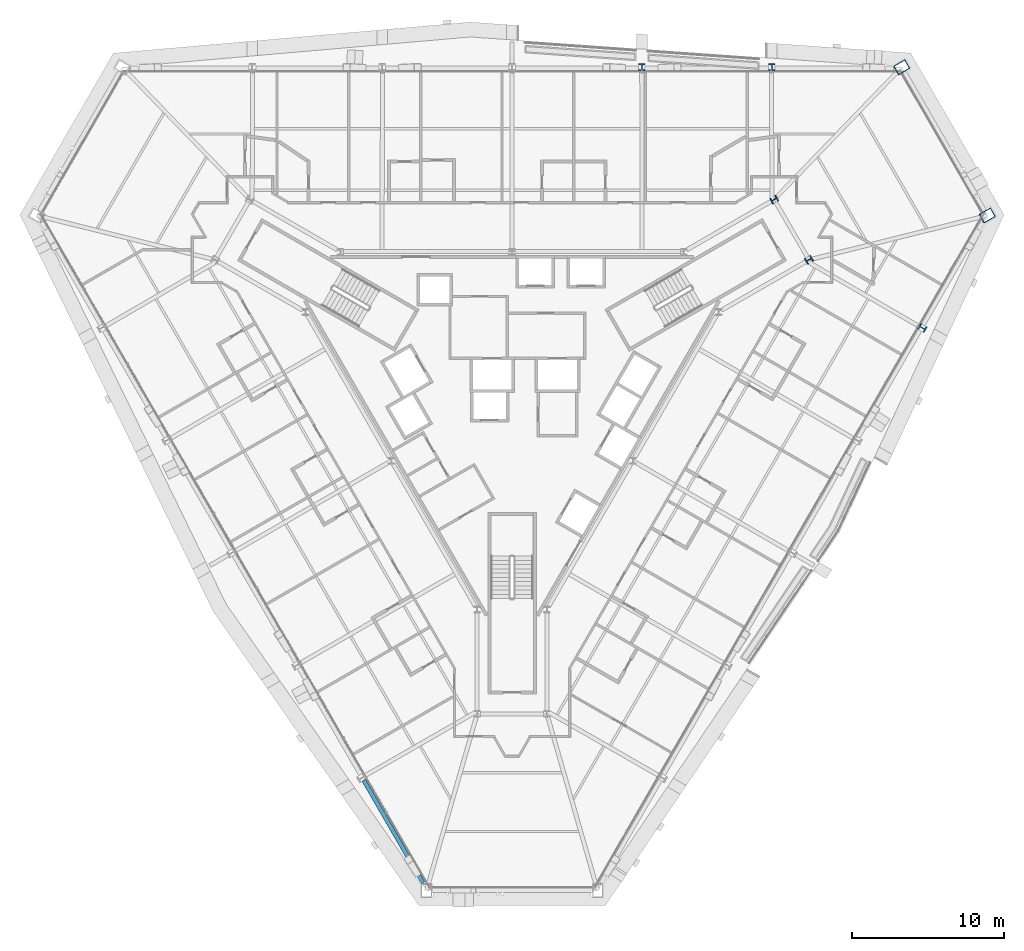
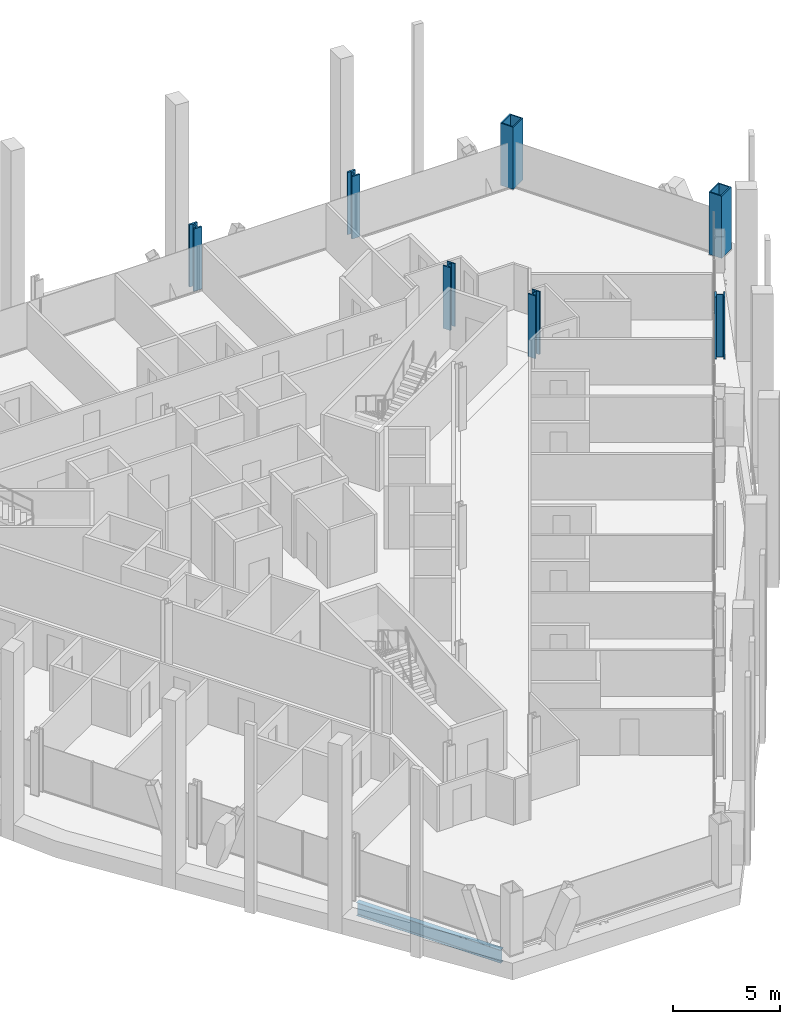
# One storey, part 2 of 21: 7 columns, 1 beam.
"""IFC4 building model written with IfcOpenShell, lengths in metres."""

from ifc_helpers import new_model, si_unit, direction, frame, origin, origin_2d, place, context, subcontext, project, spatial, hollow_rectangle, i_section, extrude, material, material_profile, profile_set, type_object, element, save


model = new_model("IFC4")

# Units and contexts
model_context = context("Model", 3, precision=1e-05, world=origin(), true_north=direction((0.0, 1.0)))
body_context = subcontext(model_context, "Body", "Model", "MODEL_VIEW")
ifc_project = project(units=[si_unit("LENGTHUNIT", "METRE"), si_unit("AREAUNIT", "SQUARE_METRE"), si_unit("VOLUMEUNIT", "CUBIC_METRE"), si_unit("PLANEANGLEUNIT", "RADIAN"), si_unit("MASSUNIT", "GRAM", prefix="KILO")], contexts=[model_context])

# Site, building, storey
site_placement = place(None, origin())
site = spatial("IfcSite", under=ifc_project, at=site_placement, CompositionType="ELEMENT")
building_placement = place(site_placement, origin())
building = spatial("IfcBuilding", under=site, at=building_placement, Name="Verrane Prism Tower", CompositionType="ELEMENT")
storey_placement = place(building_placement, frame((0.0, 0.0, 65.60009765625)))
storey = spatial("IfcBuildingStorey", under=building, at=storey_placement, Name="L14", CompositionType="ELEMENT", Elevation=65.60009765625)

# Columns
ifc_material_1 = material(Name="Steel A992", Category="steel")
ifc_material_profile_1 = material_profile(ifc_material_1, i_section(OverallWidth=0.419189453125, OverallDepth=0.45458984375, WebThickness=0.042236328125, FlangeThickness=0.067626953125, FilletRadius=0.01513671875, at=origin_2d()), Name="W14x370")
ifc_profile_set_1 = profile_set([ifc_material_profile_1], Name="Steel A992")
column_type_1 = type_object("IfcColumnType", Name="Core corner column W14x370", PredefinedType="COLUMN", material=ifc_profile_set_1)
for number, where, z_axis, x_axis, name in (
    (1, (19.60009765625, 8.659912109375, 0.0), (0.0, 0.0, 1.0), (0.5, -0.866025403784, 0.0), "Core corner column CK-NEm L14"),
    (2, (17.300048828125, 12.639892578125, 0.0), (0.0, 0.0, 1.0), (0.5, -0.866025403784, 0.0), "Core corner column CK-NEp L14"),
):
    element("IfcColumn", number, at=place(storey_placement, frame(where, z_axis=z_axis, x_axis=x_axis)), inside=storey, type_object=column_type_1, Name=name, PredefinedType="COLUMN", context=body_context, shape_type="SweptSolid", body=[
        extrude(i_section(OverallWidth=0.419189453125, OverallDepth=0.45458984375, WebThickness=0.042236328125, FlangeThickness=0.067626953125, FilletRadius=0.01513671875, at=origin_2d()), origin(), (0.0, 0.0, 1.0), 3.599853515625),
    ])
ifc_material_2 = material(Name="Steel A572 Grade 50", Category="steel")
ifc_material_profile_2 = material_profile(ifc_material_2, hollow_rectangle(XDim=0.699951171875, YDim=0.89990234375, WallThickness=0.06494140625, at=origin_2d()), Name="BOX 900x700x65")
ifc_profile_set_2 = profile_set([ifc_material_profile_2], Name="Steel A572 Grade 50")
column_type_2 = type_object("IfcColumnType", Name="Megacolumn BOX 900x700x65", PredefinedType="COLUMN", material=ifc_profile_set_2)
for number, where, z_axis, x_axis, name in (
    (3, (25.719970703125, 21.3701171875, 0.039794921875), (0.0, 0.0, 1.0), (0.5, -0.866025403784, 0.0), "Megacolumn MC-NE.b L14"),
    (4, (31.3701171875, 11.590087890625, 0.039794921875), (0.0, 0.0, 1.0), (0.5, -0.866025403784, 0.0), "Megacolumn MC-NE.a L14"),
):
    element("IfcColumn", number, at=place(storey_placement, frame(where, z_axis=z_axis, x_axis=x_axis)), inside=storey, type_object=column_type_2, Name=name, PredefinedType="COLUMN", context=body_context, shape_type="SweptSolid", body=[
        extrude(hollow_rectangle(XDim=0.699951171875, YDim=0.89990234375, WallThickness=0.06494140625, at=origin_2d()), origin(), (0.0, 0.0, 1.0), 3.56005859375),
    ])
ifc_material_3 = material(Name="Steel A992", Category="steel")
ifc_material_profile_3 = material_profile(ifc_material_3, i_section(OverallWidth=0.431884765625, OverallDepth=0.497802734375, WebThickness=0.0556640625, FlangeThickness=0.0888671875, FilletRadius=0.01513671875, at=origin_2d()), Name="W14x500")
ifc_profile_set_3 = profile_set([ifc_material_profile_3], Name="Steel A992")
column_type_3 = type_object("IfcColumnType", Name="Perimeter column W14x500", PredefinedType="COLUMN", material=ifc_profile_set_3)
for number, where, z_axis, x_axis, name in (
    (5, (17.14990234375, 21.3701171875, 0.02490234375), (0.0, 0.0, 1.0), (1.0, 0.0, 0.0), "Perimeter column PC-N1 L14"),
    (6, (8.570068359375, 21.3701171875, 0.02490234375), (0.0, 0.0, 1.0), (1.0, 0.0, 0.0), "Perimeter column PC-N2 L14"),
    (7, (27.080078125, 4.169921875, 0.02490234375), (0.0, 0.0, 1.0), (-0.5, -0.866025403784, 0.0), "Perimeter column PC-SE5 L14"),
):
    element("IfcColumn", number, at=place(storey_placement, frame(where, z_axis=z_axis, x_axis=x_axis)), inside=storey, type_object=column_type_3, Name=name, PredefinedType="COLUMN", context=body_context, shape_type="SweptSolid", body=[
        extrude(i_section(OverallWidth=0.431884765625, OverallDepth=0.497802734375, WebThickness=0.0556640625, FlangeThickness=0.0888671875, FilletRadius=0.01513671875, at=origin_2d()), origin(), (0.0, 0.0, 1.0), 3.574951171875),
    ])

# Beam
ifc_material_4 = material(Name="Steel A992", Category="steel")
ifc_material_profile_4 = material_profile(ifc_material_4, i_section(OverallWidth=0.2666015625, OverallDepth=0.7568359375, WebThickness=0.013916015625, FlangeThickness=0.019287109375, FilletRadius=0.0166015625, at=origin_2d()), Name="W30x108")
ifc_profile_set_4 = profile_set([ifc_material_profile_4], Name="Steel A992")
beam_type = type_object("IfcBeamType", Name="Spandrel beam W30x108", PredefinedType="SPANDREL", material=ifc_profile_set_4)
beam_placement = place(storey_placement, frame((-9.7880859375, -25.684814453125, -0.53857421875), z_axis=(0.499781902682, -0.866151285718, 0.0), x_axis=(0.866151285718, 0.499781902682, 0.0)))
element("IfcBeam", 8, at=beam_placement, inside=storey, type_object=beam_type, Name="Spandrel beam L14", PredefinedType="SPANDREL", context=body_context, shape_type="SweptSolid", body=[
    extrude(i_section(OverallWidth=0.2666015625, OverallDepth=0.7568359375, WebThickness=0.013916015625, FlangeThickness=0.019287109375, FilletRadius=0.0166015625, at=origin_2d()), origin(), (0.0, 0.0, 1.0), 7.8212890625),
])

save(model, "model.ifc")
